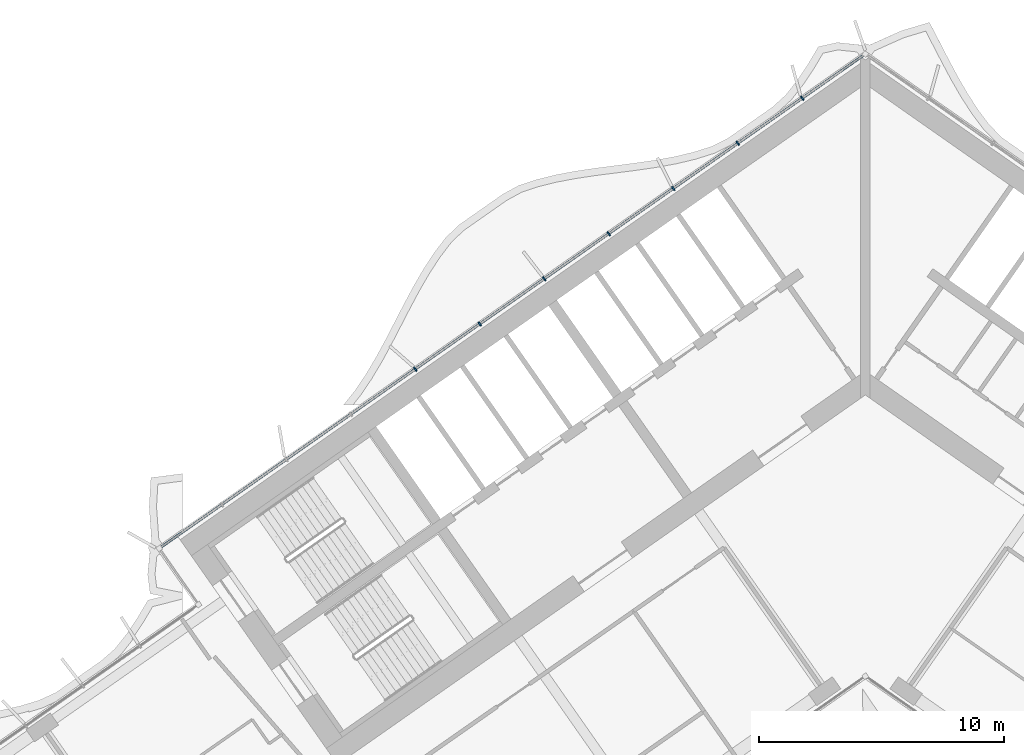
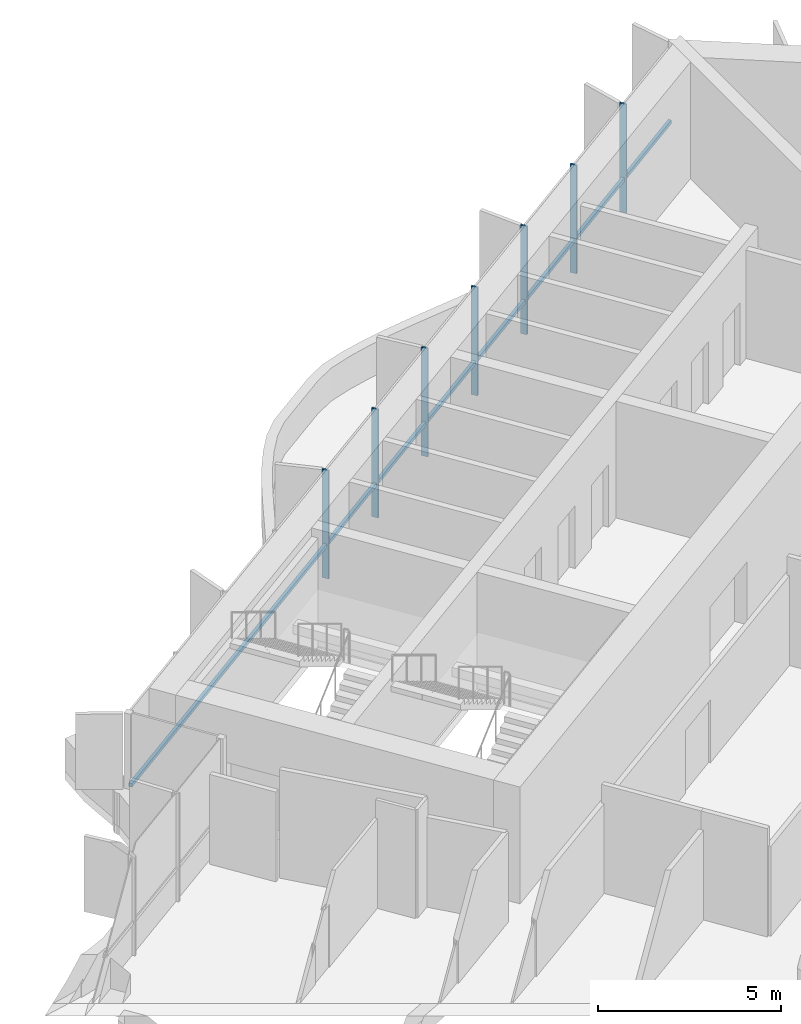
# One storey, part 7 of 22: 8 members, 1 element without a shape of its own.
"""IFC4 building model written with IfcOpenShell, lengths in metres."""

from ifc_helpers import new_model, si_unit, direction, frame, origin, origin_2d, place, context, subcontext, project, spatial, rectangle, extrude, material, material_profile, profile_set, type_object, element, aggregate, save


model = new_model("IFC4")

# Units and contexts
model_context = context("Model", 3, precision=1e-05, world=origin(), true_north=direction((0.0, 1.0)))
body_context = subcontext(model_context, "Body", "Model", "MODEL_VIEW")
ifc_project = project(units=[si_unit("LENGTHUNIT", "METRE"), si_unit("AREAUNIT", "SQUARE_METRE"), si_unit("VOLUMEUNIT", "CUBIC_METRE"), si_unit("PLANEANGLEUNIT", "RADIAN"), si_unit("MASSUNIT", "GRAM", prefix="KILO")], contexts=[model_context])

# Site, building, storey
site_placement = place(None, origin())
site = spatial("IfcSite", under=ifc_project, at=site_placement, CompositionType="ELEMENT")
building_placement = place(site_placement, origin())
building = spatial("IfcBuilding", under=site, at=building_placement, Name="Tel Ilan Convention Tower", CompositionType="ELEMENT")
storey_placement = place(building_placement, frame((0.0, 0.0, 143.699951171875)))
storey = spatial("IfcBuildingStorey", under=building, at=storey_placement, Name="L32", CompositionType="ELEMENT", Elevation=143.699951171875)

# Curtain wall, members
ifc_material_1 = material(Name="Aluminium, bronze anodised", Category="aluminium")
curtain_wall_type = type_object("IfcCurtainWallType", Name="CW2 STICK CURTAIN WALL, SPANDREL PANELS", PredefinedType="NOTDEFINED", material=ifc_material_1)
curtain_wall_placement = place(storey_placement, origin())
curtain_wall = element("IfcCurtainWall", 1, at=curtain_wall_placement, inside=storey, type_object=curtain_wall_type, Name="Curtain wall CW2-26.03", PredefinedType="NOTDEFINED")
ifc_material_2 = material(Name="Aluminium, bronze anodised", Category="aluminium")
ifc_material_profile_1 = material_profile(ifc_material_2, rectangle(XDim=0.06005859375, YDim=0.199951171875, at=origin_2d()), Name="CW MULLION 60x200")
ifc_profile_set_1 = profile_set([ifc_material_profile_1], Name="Aluminium, bronze anodised")
member_type_1 = type_object("IfcMemberType", Name="CW MULLION 60x200", PredefinedType="MULLION", material=ifc_profile_set_1)
member_1_placement = place(storey_placement, frame((-2.5751953125, 10.892822265625, 0.0), z_axis=(0.0, 0.0, 1.0), x_axis=(-0.819152044289, -0.573576436351, 0.0)))
member_1 = element("IfcMember", 2, at=member_1_placement, type_object=member_type_1, Name="Mullion", PredefinedType="MULLION", context=body_context, shape_type="SweptSolid", body=[
    extrude(rectangle(XDim=0.06005859375, YDim=0.199951171875, at=origin_2d()), origin(), (0.0, 0.0, 1.0), 3.6201171875),
])
member_2_placement = place(storey_placement, frame((-5.207763671875, 9.049560546875, 0.0), z_axis=(0.0, 0.0, 1.0), x_axis=(-0.819152044289, -0.573576436351, 0.0)))
member_2 = element("IfcMember", 3, at=member_2_placement, type_object=member_type_1, Name="Mullion", PredefinedType="MULLION", context=body_context, shape_type="SweptSolid", body=[
    extrude(rectangle(XDim=0.06005859375, YDim=0.199951171875, at=origin_2d()), origin(), (0.0, 0.0, 1.0), 3.6201171875),
])
member_3_placement = place(storey_placement, frame((-7.840576171875, 7.2060546875, 0.0), z_axis=(0.0, 0.0, 1.0), x_axis=(-0.819152044289, -0.573576436351, 0.0)))
member_3 = element("IfcMember", 4, at=member_3_placement, type_object=member_type_1, Name="Mullion", PredefinedType="MULLION", context=body_context, shape_type="SweptSolid", body=[
    extrude(rectangle(XDim=0.06005859375, YDim=0.199951171875, at=origin_2d()), origin(), (0.0, 0.0, 1.0), 3.6201171875),
])
member_4_placement = place(storey_placement, frame((-10.47314453125, 5.36279296875, 0.0), z_axis=(0.0, 0.0, 1.0), x_axis=(-0.819152044289, -0.573576436351, 0.0)))
member_4 = element("IfcMember", 5, at=member_4_placement, type_object=member_type_1, Name="Mullion", PredefinedType="MULLION", context=body_context, shape_type="SweptSolid", body=[
    extrude(rectangle(XDim=0.06005859375, YDim=0.199951171875, at=origin_2d()), origin(), (0.0, 0.0, 1.0), 3.6201171875),
])
member_5_placement = place(storey_placement, frame((-13.105712890625, 3.519287109375, 0.0), z_axis=(0.0, 0.0, 1.0), x_axis=(-0.819152044289, -0.573576436351, 0.0)))
member_5 = element("IfcMember", 6, at=member_5_placement, type_object=member_type_1, Name="Mullion", PredefinedType="MULLION", context=body_context, shape_type="SweptSolid", body=[
    extrude(rectangle(XDim=0.06005859375, YDim=0.199951171875, at=origin_2d()), origin(), (0.0, 0.0, 1.0), 3.6201171875),
])
member_6_placement = place(storey_placement, frame((-15.73828125, 1.676025390625, 0.0), z_axis=(0.0, 0.0, 1.0), x_axis=(-0.819152044289, -0.573576436351, 0.0)))
member_6 = element("IfcMember", 7, at=member_6_placement, type_object=member_type_1, Name="Mullion", PredefinedType="MULLION", context=body_context, shape_type="SweptSolid", body=[
    extrude(rectangle(XDim=0.06005859375, YDim=0.199951171875, at=origin_2d()), origin(), (0.0, 0.0, 1.0), 3.6201171875),
])
member_7_placement = place(storey_placement, frame((-18.37109375, -0.16748046875, 0.0), z_axis=(0.0, 0.0, 1.0), x_axis=(-0.819152044289, -0.573576436351, 0.0)))
member_7 = element("IfcMember", 8, at=member_7_placement, type_object=member_type_1, Name="Mullion", PredefinedType="MULLION", context=body_context, shape_type="SweptSolid", body=[
    extrude(rectangle(XDim=0.06005859375, YDim=0.199951171875, at=origin_2d()), origin(), (0.0, 0.0, 1.0), 3.6201171875),
])
ifc_material_3 = material(Name="Aluminium, bronze anodised", Category="aluminium")
ifc_material_profile_2 = material_profile(ifc_material_3, rectangle(XDim=0.10009765625, YDim=0.1201171875, at=origin_2d()), Name="CW TRANSOM 100x120")
ifc_profile_set_2 = profile_set([ifc_material_profile_2], Name="Aluminium, bronze anodised")
member_type_2 = type_object("IfcMemberType", Name="CW TRANSOM 100x120", PredefinedType="USERDEFINED", material=ifc_profile_set_2)
member_8_placement = place(storey_placement, frame((-0.1064453125, 12.62158203125, 1.10009765625), z_axis=(-0.819150201937, -0.573579067494, 0.0), x_axis=(0.573579067494, -0.819150201937, 0.0)))
member_8 = element("IfcMember", 9, at=member_8_placement, type_object=member_type_2, Name="Transom", ObjectType="TRANSOM", PredefinedType="USERDEFINED", context=body_context, shape_type="SweptSolid", body=[
    extrude(rectangle(XDim=0.10009765625, YDim=0.1201171875, at=origin_2d()), origin(), (0.0, 0.0, 1.0), 34.9521484375),
])
aggregate(curtain_wall, [member_1, member_2, member_3, member_4, member_5, member_6, member_7, member_8])

save(model, "model.ifc")
